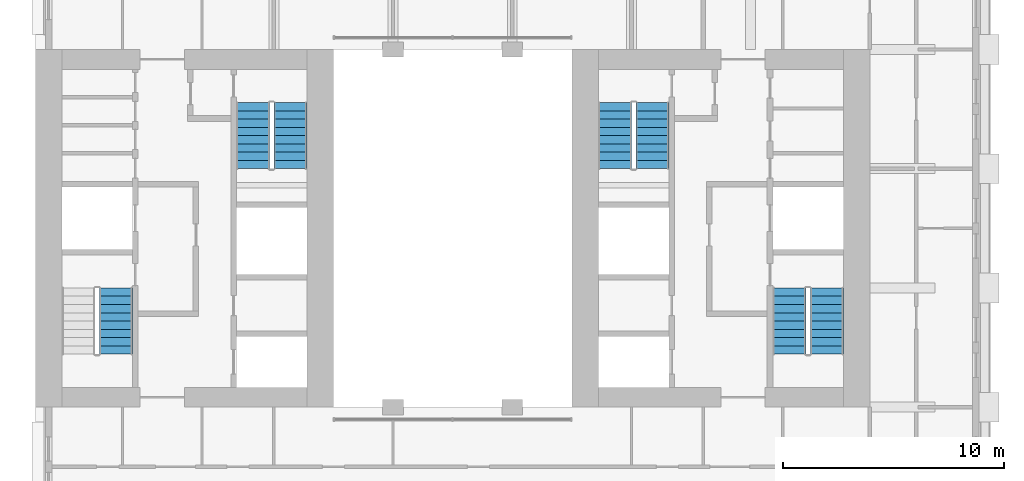
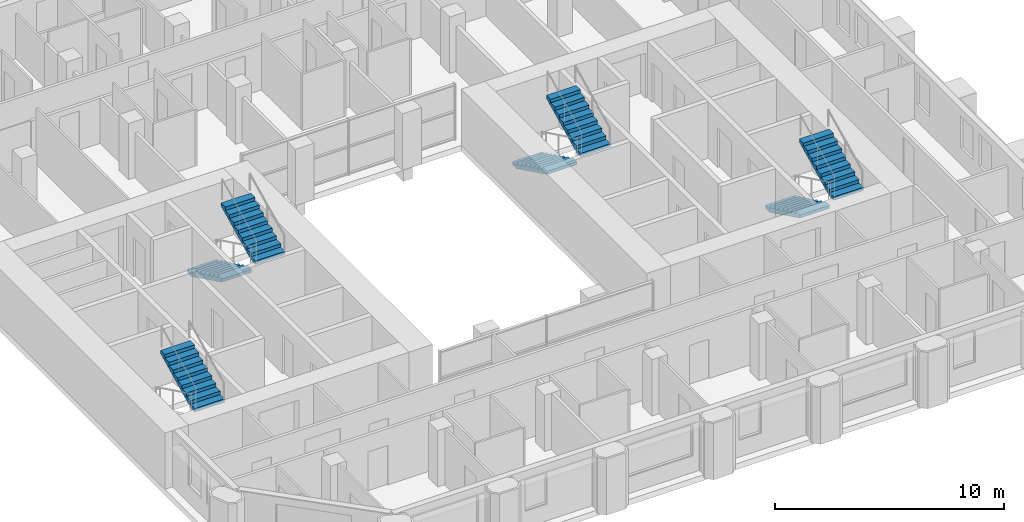
# One storey, part 10 of 13: 7 stair flights, 4 elements without a shape of their own.
"""IFC4 building model written with IfcOpenShell, lengths in metres."""

import ifcopenshell
import ifcopenshell.guid

model = None  # the IFC model being written
_history = None  # IfcOwnerHistory: only IFC2X3 demands one
_inside = {}  # id of a spatial element -> (the spatial element, [elements in it])
_under = {}  # id of a project, library or spatial element -> (it, [spatial elements below it])
_declared = {}  # id of a project -> (the project, [libraries it declares])
_typed = {}  # id of a type object -> (the type object, [elements of that type])
_made_of = {}  # id of a material, layer set ... -> (it, [elements and type objects made of it])


def new_model(schema):
    """Start an empty IFC model of exactly this schema.

    Asked for "IFC4X3", IfcOpenShell would pick the latest addendum, in which some entities
    have other attributes; the version numbers below select the first issue.
    IFC2X3 requires an IfcOwnerHistory on every rooted entity: one is made here for all.
    """
    global model, _history
    if schema == "IFC4X3":
        model = ifcopenshell.file(schema_version=(4, 3, 0, 0))
    else:
        model = ifcopenshell.file(schema=schema)
    _inside.clear()
    _under.clear()
    _declared.clear()
    _typed.clear()
    _made_of.clear()
    _history = None
    if model.schema == "IFC2X3":
        org = make("IfcOrganization", Name="unknown")
        user = make(
            "IfcPersonAndOrganization",
            ThePerson=make("IfcPerson", FamilyName="unknown"),
            TheOrganization=org,
        )
        app = make(
            "IfcApplication",
            ApplicationDeveloper=org,
            Version="unknown",
            ApplicationFullName="unknown",
            ApplicationIdentifier="unknown",
        )
        _history = make(
            "IfcOwnerHistory",
            OwningUser=user,
            OwningApplication=app,
            ChangeAction="ADDED",
            CreationDate=0,
        )
    return model


def make(cls, **values):
    """One entity of the class cls with the attributes given. An attribute that is None is left unset."""
    return model.create_entity(
        cls, **{name: value for name, value in values.items() if value is not None}
    )


def rooted(cls, **values):
    """An entity with a GlobalId (a new one), such as an element, a storey or a relation."""
    return make(cls, GlobalId=ifcopenshell.guid.new(), OwnerHistory=_history, **values)


def si_unit(unit_type, name, prefix=None):
    """IfcSIUnit, for example si_unit("LENGTHUNIT", "METRE", prefix="MILLI")."""
    return make("IfcSIUnit", UnitType=unit_type, Prefix=prefix, Name=name)


def assignment(units):
    """IfcUnitAssignment: the units of a project."""
    return None if units is None else make("IfcUnitAssignment", Units=units)


def point(xyz):
    """IfcCartesianPoint."""
    return None if xyz is None else make("IfcCartesianPoint", Coordinates=xyz)


def direction(xyz):
    """IfcDirection."""
    return None if xyz is None else make("IfcDirection", DirectionRatios=xyz)


def frame(location, z_axis=None, x_axis=None):
    """IfcAxis2Placement3D, a coordinate frame: its origin and axes. An axis left out is left unset."""
    return make(
        "IfcAxis2Placement3D",
        Location=point(location),
        Axis=direction(z_axis),
        RefDirection=direction(x_axis),
    )


def origin():
    """The frame at (0, 0, 0) with its axes left unset."""
    return frame((0.0, 0.0, 0.0))


def place(relative_to, where):
    """IfcLocalPlacement: puts the frame where relative to a parent placement (None: the world)."""
    return make(
        "IfcLocalPlacement", PlacementRelTo=relative_to, RelativePlacement=where
    )


def context(
    kind, dimensions, precision=None, world=None, true_north=None, identifier=None
):
    """IfcGeometricRepresentationContext, for example the 3D "Model" context."""
    return make(
        "IfcGeometricRepresentationContext",
        ContextIdentifier=identifier,
        ContextType=kind,
        CoordinateSpaceDimension=dimensions,
        Precision=precision,
        WorldCoordinateSystem=world,
        TrueNorth=true_north,
    )


def subcontext(parent, identifier, kind, view, scale=None):
    """IfcGeometricRepresentationSubContext, for example "Body" below "Model"."""
    return make(
        "IfcGeometricRepresentationSubContext",
        ContextIdentifier=identifier,
        ContextType=kind,
        ParentContext=parent,
        TargetScale=scale,
        TargetView=view,
    )


def project(units=None, contexts=None):
    """IfcProject with its units and contexts."""
    return rooted(
        "IfcProject",
        Name="project",
        RepresentationContexts=contexts,
        UnitsInContext=assignment(units),
    )


def spatial(cls, under=None, at=None, **own):
    """A site, building, storey or space (cls), placed at a placement, below another one or the project."""
    s = rooted(cls, ObjectPlacement=at, **own)
    if under is not None:
        _under.setdefault(under.id(), (under, []))[1].append(s)
    return s


def polyline(points):
    """IfcPolyline through the points."""
    return make("IfcPolyline", Points=[point(p) for p in points])


def outline(outer, holes=None, kind="AREA"):
    """IfcArbitraryClosedProfileDef: a profile drawn as a closed curve; with holes, ...WithVoids."""
    if holes is None:
        return make("IfcArbitraryClosedProfileDef", ProfileType=kind, OuterCurve=outer)
    return make(
        "IfcArbitraryProfileDefWithVoids",
        ProfileType=kind,
        OuterCurve=outer,
        InnerCurves=holes,
    )


def extrude(swept, where, along, depth):
    """IfcExtrudedAreaSolid: the profile swept, set in the frame where, extruded along a direction by depth."""
    return make(
        "IfcExtrudedAreaSolid",
        SweptArea=swept,
        Position=where,
        ExtrudedDirection=direction(along),
        Depth=depth,
    )


def shape(context_of_items, identifier, shape_type, items):
    """IfcShapeRepresentation: the items that make up one representation, for example the "Body"."""
    return make(
        "IfcShapeRepresentation",
        ContextOfItems=context_of_items,
        RepresentationIdentifier=identifier,
        RepresentationType=shape_type,
        Items=items,
    )


def material(Name=None, Category=None):
    """IfcMaterial."""
    return make("IfcMaterial", Name=Name, Category=Category)


def made_of(thing, what):
    """Note that an element or type object is made of a material, layer set ...; save() writes the relation."""
    if what is not None:
        _made_of.setdefault(what.id(), (what, []))[1].append(thing)
    return thing


def type_object(cls, material=None, **own):
    """A type object (cls), such as IfcWallType, which elements share."""
    return made_of(rooted(cls, **own), material)


def element(
    cls,
    number,
    at=None,
    inside=None,
    cuts=None,
    type_object=None,
    material=None,
    context=None,
    identifier="Body",
    shape_type=None,
    held_by="IfcProductDefinitionShape",
    body=None,
    shapes=None,
    **own,
):
    """One element of the class cls, such as IfcWall. Its Tag is "e" and its number.

    at: its placement. inside: the storey or other place that contains it. cuts: it is an
    opening in that element (IfcRelVoidsElement). A single representation is given by context,
    identifier, shape_type and body (its items); several are given by shapes. held_by: the class
    of the entity that holds the representations. save() writes the other relations.
    """
    e = rooted(cls, Tag="e%d" % number, ObjectPlacement=at, **own)
    if body is not None:
        shapes = [shape(context, identifier, shape_type, body)]
    if shapes is not None:
        e.Representation = make(held_by, Representations=shapes)
    if inside is not None:
        _inside.setdefault(inside.id(), (inside, []))[1].append(e)
    if cuts is not None:
        rooted(
            "IfcRelVoidsElement", RelatingBuildingElement=cuts, RelatedOpeningElement=e
        )
    if type_object is not None:
        _typed.setdefault(type_object.id(), (type_object, []))[1].append(e)
    return made_of(e, material)


def aggregate(whole, parts):
    """IfcRelAggregates: a whole, such as a stair, and the parts it consists of."""
    return rooted("IfcRelAggregates", RelatingObject=whole, RelatedObjects=parts)


def save(model, path):
    """Write the relations noted so far, then the file.

    IfcRelAggregates (storeys below a building ...), IfcRelContainedInSpatialStructure (elements
    in a storey), IfcRelDefinesByType, IfcRelAssociatesMaterial and IfcRelDeclares: one each for
    every whole, place, type object, material and project.
    """
    for whole, parts in _under.values():
        aggregate(whole, parts)
    for where, things in _inside.values():
        rooted(
            "IfcRelContainedInSpatialStructure",
            RelatedElements=things,
            RelatingStructure=where,
        )
    for kind, things in _typed.values():
        rooted("IfcRelDefinesByType", RelatedObjects=things, RelatingType=kind)
    for what, things in _made_of.values():
        rooted("IfcRelAssociatesMaterial", RelatedObjects=things, RelatingMaterial=what)
    for by, libraries in _declared.values():
        rooted("IfcRelDeclares", RelatingContext=by, RelatedDefinitions=libraries)
    model.write(path)


model = new_model("IFC4")

# Units and contexts
model_context = context("Model", 3, precision=1e-05, world=origin(), true_north=direction((0.0, 1.0)))
body_context = subcontext(model_context, "Body", "Model", "MODEL_VIEW")
ifc_project = project(units=[si_unit("LENGTHUNIT", "METRE"), si_unit("AREAUNIT", "SQUARE_METRE"), si_unit("VOLUMEUNIT", "CUBIC_METRE"), si_unit("PLANEANGLEUNIT", "RADIAN"), si_unit("MASSUNIT", "GRAM", prefix="KILO")], contexts=[model_context])

# Site, building, storey
site_placement = place(None, origin())
site = spatial("IfcSite", under=ifc_project, at=site_placement, CompositionType="ELEMENT")
building_placement = place(site_placement, origin())
building = spatial("IfcBuilding", under=site, at=building_placement, Name="Tabaq Tower and Sports Hall", CompositionType="ELEMENT")
storey_placement = place(building_placement, frame((0.0, 0.0, 200.5)))
storey = spatial("IfcBuildingStorey", under=building, at=storey_placement, Name="L49", CompositionType="ELEMENT", Elevation=200.5)

# Stair, stair flight
ifc_material_1 = material(Name="Concrete C40/50", Category="concrete")
stair_type = type_object("IfcStairType", Name="Exit stair", PredefinedType="HALF_TURN_STAIR", material=ifc_material_1)
stair_1_placement = place(storey_placement, origin())
stair_1 = element("IfcStair", 1, at=stair_1_placement, inside=storey, type_object=stair_type, Name="L49 Exit stair ST1", PredefinedType="HALF_TURN_STAIR")
ifc_material_2 = material(Name="Concrete C40/50", Category="concrete")
stair_flight_type = type_object("IfcStairFlightType", Name="Exit stair flight", PredefinedType="STRAIGHT", material=ifc_material_2)
stair_flight_1_placement = place(storey_placement, frame((9.050048828125, 18.60009765625, 1.64990234375), z_axis=(0.0, 0.0, 1.0), x_axis=(0.0, 1.0, 0.0)))
stair_flight_1 = element("IfcStairFlight", 2, at=stair_flight_1_placement, type_object=stair_flight_type, Name="ST1 flight 2", NumberOfRisers=9, NumberOfTreads=8, PredefinedType="STRAIGHT", RiserHeight=0.183333333, TreadLength=0.375, context=body_context, shape_type="SweptSolid", body=[
    extrude(outline(polyline([(0.0, 0.0), (0.0, 0.183349609375), (0.375, 0.183349609375), (0.375, 0.36669921875), (0.75, 0.36669921875), (0.75, 0.550048828125), (1.125, 0.550048828125), (1.125, 0.7333984375), (1.5, 0.7333984375), (1.5, 0.916748046875), (1.875, 0.916748046875), (1.875, 1.10009765625), (2.25, 1.10009765625), (2.25, 1.283447265625), (2.625, 1.283447265625), (2.625, 1.466552734375), (3.0, 1.466552734375), (3.0, 1.64990234375), (3.0, 1.2998046875), (0.34130859375, 0.0), (0.0, 0.0)])), frame((0.0, 0.75, 0.0), z_axis=(0.0, -1.0, 0.0), x_axis=(1.0, 0.0, 0.0)), (0.0, 0.0, 1.0), 1.5),
])
aggregate(stair_1, [stair_flight_1])

# Stair, stair flights
stair_2_placement = place(storey_placement, origin())
stair_2 = element("IfcStair", 3, at=stair_2_placement, inside=storey, type_object=stair_type, Name="L49 Exit stair ST2", PredefinedType="HALF_TURN_STAIR")
stair_flight_2_placement = place(storey_placement, frame((15.25, 30.0, 0.0), z_axis=(0.0, 0.0, 1.0), x_axis=(0.0, -1.0, 0.0)))
stair_flight_2 = element("IfcStairFlight", 4, at=stair_flight_2_placement, type_object=stair_flight_type, Name="ST2 flight 1", NumberOfRisers=9, NumberOfTreads=8, PredefinedType="STRAIGHT", RiserHeight=0.183333333, TreadLength=0.375, context=body_context, shape_type="SweptSolid", body=[
    extrude(outline(polyline([(0.0, 0.0), (0.0, 0.183349609375), (0.375, 0.183349609375), (0.375, 0.36669921875), (0.75, 0.36669921875), (0.75, 0.550048828125), (1.125, 0.550048828125), (1.125, 0.7333984375), (1.5, 0.7333984375), (1.5, 0.916748046875), (1.875, 0.916748046875), (1.875, 1.10009765625), (2.25, 1.10009765625), (2.25, 1.283447265625), (2.625, 1.283447265625), (2.625, 1.466552734375), (3.0, 1.466552734375), (3.0, 1.64990234375), (3.0, 1.2998046875), (0.34130859375, 0.0), (0.0, 0.0)])), frame((0.0, 0.75, 0.0), z_axis=(0.0, -1.0, 0.0), x_axis=(1.0, 0.0, 0.0)), (0.0, 0.0, 1.0), 1.5),
])
stair_flight_3_placement = place(storey_placement, frame((16.949951171875, 27.0, 1.64990234375), z_axis=(0.0, 0.0, 1.0), x_axis=(0.0, 1.0, 0.0)))
stair_flight_3 = element("IfcStairFlight", 5, at=stair_flight_3_placement, type_object=stair_flight_type, Name="ST2 flight 2", NumberOfRisers=9, NumberOfTreads=8, PredefinedType="STRAIGHT", RiserHeight=0.183333333, TreadLength=0.375, context=body_context, shape_type="SweptSolid", body=[
    extrude(outline(polyline([(0.0, 0.0), (0.0, 0.183349609375), (0.375, 0.183349609375), (0.375, 0.36669921875), (0.75, 0.36669921875), (0.75, 0.550048828125), (1.125, 0.550048828125), (1.125, 0.7333984375), (1.5, 0.7333984375), (1.5, 0.916748046875), (1.875, 0.916748046875), (1.875, 1.10009765625), (2.25, 1.10009765625), (2.25, 1.283447265625), (2.625, 1.283447265625), (2.625, 1.466552734375), (3.0, 1.466552734375), (3.0, 1.64990234375), (3.0, 1.2998046875), (0.34130859375, 0.0), (0.0, 0.0)])), frame((0.0, 0.75, 0.0), z_axis=(0.0, -1.0, 0.0), x_axis=(1.0, 0.0, 0.0)), (0.0, 0.0, 1.0), 1.5),
])
aggregate(stair_2, [stair_flight_2, stair_flight_3])

stair_3_placement = place(storey_placement, origin())
stair_3 = element("IfcStair", 6, at=stair_3_placement, inside=storey, type_object=stair_type, Name="L49 Exit stair ST3", PredefinedType="HALF_TURN_STAIR")
stair_flight_4_placement = place(storey_placement, frame((39.550048828125, 21.60009765625, 0.0), z_axis=(0.0, 0.0, 1.0), x_axis=(0.0, -1.0, 0.0)))
stair_flight_4 = element("IfcStairFlight", 7, at=stair_flight_4_placement, type_object=stair_flight_type, Name="ST3 flight 1", NumberOfRisers=9, NumberOfTreads=8, PredefinedType="STRAIGHT", RiserHeight=0.183333333, TreadLength=0.375, context=body_context, shape_type="SweptSolid", body=[
    extrude(outline(polyline([(0.0, 0.0), (0.0, 0.183349609375), (0.375, 0.183349609375), (0.375, 0.36669921875), (0.75, 0.36669921875), (0.75, 0.550048828125), (1.125, 0.550048828125), (1.125, 0.7333984375), (1.5, 0.7333984375), (1.5, 0.916748046875), (1.875, 0.916748046875), (1.875, 1.10009765625), (2.25, 1.10009765625), (2.25, 1.283447265625), (2.625, 1.283447265625), (2.625, 1.466552734375), (3.0, 1.466552734375), (3.0, 1.64990234375), (3.0, 1.2998046875), (0.34130859375, 0.0), (0.0, 0.0)])), frame((0.0, 0.75, 0.0), z_axis=(0.0, -1.0, 0.0), x_axis=(1.0, 0.0, 0.0)), (0.0, 0.0, 1.0), 1.5),
])
stair_flight_5_placement = place(storey_placement, frame((41.25, 18.60009765625, 1.64990234375), z_axis=(0.0, 0.0, 1.0), x_axis=(0.0, 1.0, 0.0)))
stair_flight_5 = element("IfcStairFlight", 8, at=stair_flight_5_placement, type_object=stair_flight_type, Name="ST3 flight 2", NumberOfRisers=9, NumberOfTreads=8, PredefinedType="STRAIGHT", RiserHeight=0.183333333, TreadLength=0.375, context=body_context, shape_type="SweptSolid", body=[
    extrude(outline(polyline([(0.0, 0.0), (0.0, 0.183349609375), (0.375, 0.183349609375), (0.375, 0.36669921875), (0.75, 0.36669921875), (0.75, 0.550048828125), (1.125, 0.550048828125), (1.125, 0.7333984375), (1.5, 0.7333984375), (1.5, 0.916748046875), (1.875, 0.916748046875), (1.875, 1.10009765625), (2.25, 1.10009765625), (2.25, 1.283447265625), (2.625, 1.283447265625), (2.625, 1.466552734375), (3.0, 1.466552734375), (3.0, 1.64990234375), (3.0, 1.2998046875), (0.34130859375, 0.0), (0.0, 0.0)])), frame((0.0, 0.75, 0.0), z_axis=(0.0, -1.0, 0.0), x_axis=(1.0, 0.0, 0.0)), (0.0, 0.0, 1.0), 1.5),
])
aggregate(stair_3, [stair_flight_4, stair_flight_5])

stair_4_placement = place(storey_placement, origin())
stair_4 = element("IfcStair", 9, at=stair_4_placement, inside=storey, type_object=stair_type, Name="L49 Exit stair ST4", PredefinedType="HALF_TURN_STAIR")
stair_flight_6_placement = place(storey_placement, frame((31.64990234375, 30.0, 0.0), z_axis=(0.0, 0.0, 1.0), x_axis=(0.0, -1.0, 0.0)))
stair_flight_6 = element("IfcStairFlight", 10, at=stair_flight_6_placement, type_object=stair_flight_type, Name="ST4 flight 1", NumberOfRisers=9, NumberOfTreads=8, PredefinedType="STRAIGHT", RiserHeight=0.183333333, TreadLength=0.375, context=body_context, shape_type="SweptSolid", body=[
    extrude(outline(polyline([(0.0, 0.0), (0.0, 0.183349609375), (0.375, 0.183349609375), (0.375, 0.36669921875), (0.75, 0.36669921875), (0.75, 0.550048828125), (1.125, 0.550048828125), (1.125, 0.7333984375), (1.5, 0.7333984375), (1.5, 0.916748046875), (1.875, 0.916748046875), (1.875, 1.10009765625), (2.25, 1.10009765625), (2.25, 1.283447265625), (2.625, 1.283447265625), (2.625, 1.466552734375), (3.0, 1.466552734375), (3.0, 1.64990234375), (3.0, 1.2998046875), (0.34130859375, 0.0), (0.0, 0.0)])), frame((0.0, 0.75, 0.0), z_axis=(0.0, -1.0, 0.0), x_axis=(1.0, 0.0, 0.0)), (0.0, 0.0, 1.0), 1.5),
])
stair_flight_7_placement = place(storey_placement, frame((33.35009765625, 27.0, 1.64990234375), z_axis=(0.0, 0.0, 1.0), x_axis=(0.0, 1.0, 0.0)))
stair_flight_7 = element("IfcStairFlight", 11, at=stair_flight_7_placement, type_object=stair_flight_type, Name="ST4 flight 2", NumberOfRisers=9, NumberOfTreads=8, PredefinedType="STRAIGHT", RiserHeight=0.183333333, TreadLength=0.375, context=body_context, shape_type="SweptSolid", body=[
    extrude(outline(polyline([(0.0, 0.0), (0.0, 0.183349609375), (0.375, 0.183349609375), (0.375, 0.36669921875), (0.75, 0.36669921875), (0.75, 0.550048828125), (1.125, 0.550048828125), (1.125, 0.7333984375), (1.5, 0.7333984375), (1.5, 0.916748046875), (1.875, 0.916748046875), (1.875, 1.10009765625), (2.25, 1.10009765625), (2.25, 1.283447265625), (2.625, 1.283447265625), (2.625, 1.466552734375), (3.0, 1.466552734375), (3.0, 1.64990234375), (3.0, 1.2998046875), (0.34130859375, 0.0), (0.0, 0.0)])), frame((0.0, 0.75, 0.0), z_axis=(0.0, -1.0, 0.0), x_axis=(1.0, 0.0, 0.0)), (0.0, 0.0, 1.0), 1.5),
])
aggregate(stair_4, [stair_flight_6, stair_flight_7])

save(model, "model.ifc")
